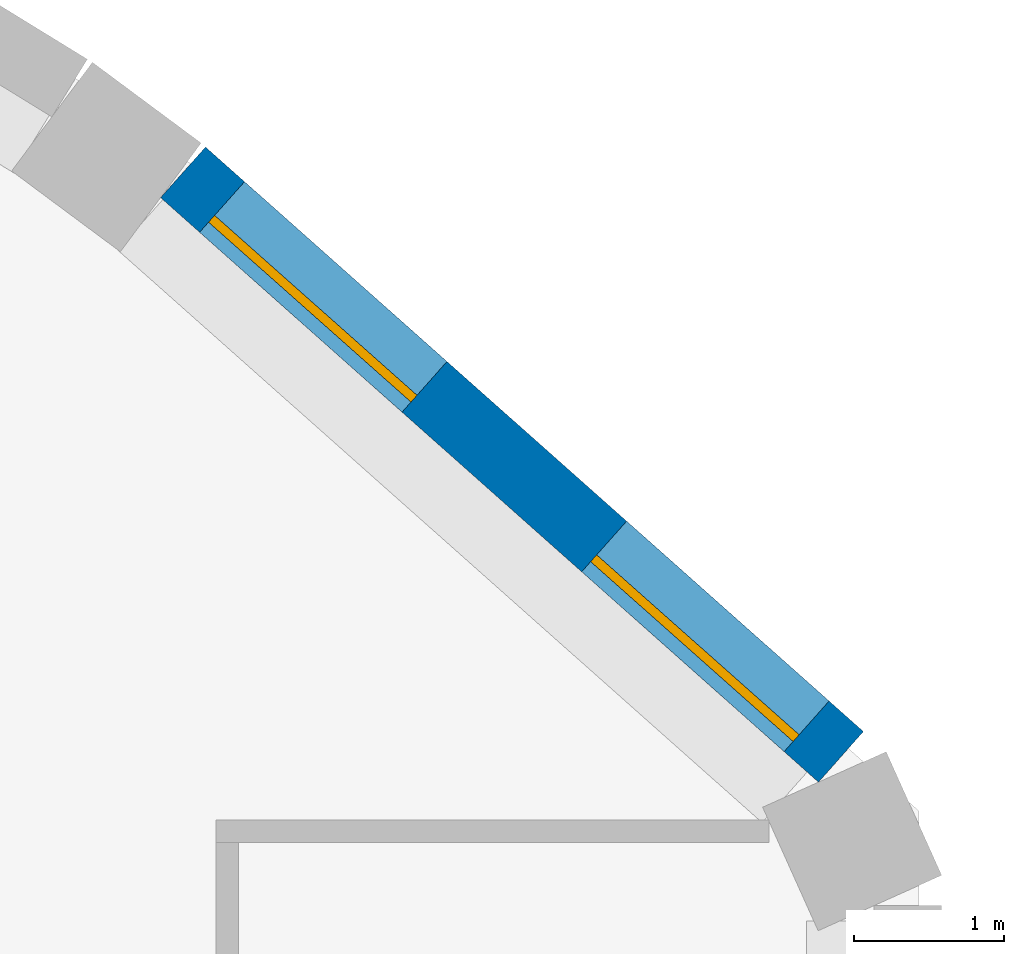
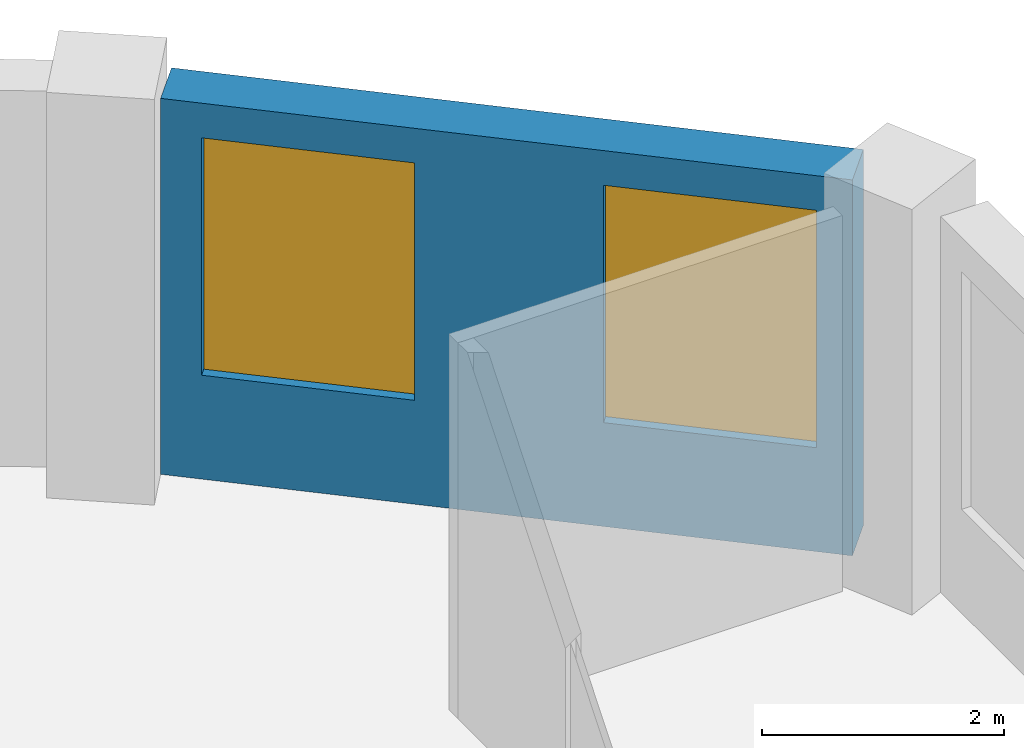
# One storey, part 8 of 15: 2 windows, 1 wall, 2 openings.
"""IFC4 building model written with IfcOpenShell, lengths in metres."""

import ifcopenshell
import ifcopenshell.guid

model = None  # the IFC model being written
_history = None  # IfcOwnerHistory: only IFC2X3 demands one
_inside = {}  # id of a spatial element -> (the spatial element, [elements in it])
_under = {}  # id of a project, library or spatial element -> (it, [spatial elements below it])
_declared = {}  # id of a project -> (the project, [libraries it declares])
_typed = {}  # id of a type object -> (the type object, [elements of that type])
_made_of = {}  # id of a material, layer set ... -> (it, [elements and type objects made of it])


def new_model(schema):
    """Start an empty IFC model of exactly this schema.

    Asked for "IFC4X3", IfcOpenShell would pick the latest addendum, in which some entities
    have other attributes; the version numbers below select the first issue.
    IFC2X3 requires an IfcOwnerHistory on every rooted entity: one is made here for all.
    """
    global model, _history
    if schema == "IFC4X3":
        model = ifcopenshell.file(schema_version=(4, 3, 0, 0))
    else:
        model = ifcopenshell.file(schema=schema)
    _inside.clear()
    _under.clear()
    _declared.clear()
    _typed.clear()
    _made_of.clear()
    _history = None
    if model.schema == "IFC2X3":
        org = make("IfcOrganization", Name="unknown")
        user = make(
            "IfcPersonAndOrganization",
            ThePerson=make("IfcPerson", FamilyName="unknown"),
            TheOrganization=org,
        )
        app = make(
            "IfcApplication",
            ApplicationDeveloper=org,
            Version="unknown",
            ApplicationFullName="unknown",
            ApplicationIdentifier="unknown",
        )
        _history = make(
            "IfcOwnerHistory",
            OwningUser=user,
            OwningApplication=app,
            ChangeAction="ADDED",
            CreationDate=0,
        )
    return model


def make(cls, **values):
    """One entity of the class cls with the attributes given. An attribute that is None is left unset."""
    return model.create_entity(
        cls, **{name: value for name, value in values.items() if value is not None}
    )


def rooted(cls, **values):
    """An entity with a GlobalId (a new one), such as an element, a storey or a relation."""
    return make(cls, GlobalId=ifcopenshell.guid.new(), OwnerHistory=_history, **values)


def si_unit(unit_type, name, prefix=None):
    """IfcSIUnit, for example si_unit("LENGTHUNIT", "METRE", prefix="MILLI")."""
    return make("IfcSIUnit", UnitType=unit_type, Prefix=prefix, Name=name)


def assignment(units):
    """IfcUnitAssignment: the units of a project."""
    return None if units is None else make("IfcUnitAssignment", Units=units)


def point(xyz):
    """IfcCartesianPoint."""
    return None if xyz is None else make("IfcCartesianPoint", Coordinates=xyz)


def direction(xyz):
    """IfcDirection."""
    return None if xyz is None else make("IfcDirection", DirectionRatios=xyz)


def frame(location, z_axis=None, x_axis=None):
    """IfcAxis2Placement3D, a coordinate frame: its origin and axes. An axis left out is left unset."""
    return make(
        "IfcAxis2Placement3D",
        Location=point(location),
        Axis=direction(z_axis),
        RefDirection=direction(x_axis),
    )


def frame_2d(location, x_axis=None):
    """IfcAxis2Placement2D, a coordinate frame in the plane: its origin and x axis."""
    return make(
        "IfcAxis2Placement2D", Location=point(location), RefDirection=direction(x_axis)
    )


def origin():
    """The frame at (0, 0, 0) with its axes left unset."""
    return frame((0.0, 0.0, 0.0))


def place(relative_to, where):
    """IfcLocalPlacement: puts the frame where relative to a parent placement (None: the world)."""
    return make(
        "IfcLocalPlacement", PlacementRelTo=relative_to, RelativePlacement=where
    )


def context(
    kind, dimensions, precision=None, world=None, true_north=None, identifier=None
):
    """IfcGeometricRepresentationContext, for example the 3D "Model" context."""
    return make(
        "IfcGeometricRepresentationContext",
        ContextIdentifier=identifier,
        ContextType=kind,
        CoordinateSpaceDimension=dimensions,
        Precision=precision,
        WorldCoordinateSystem=world,
        TrueNorth=true_north,
    )


def subcontext(parent, identifier, kind, view, scale=None):
    """IfcGeometricRepresentationSubContext, for example "Body" below "Model"."""
    return make(
        "IfcGeometricRepresentationSubContext",
        ContextIdentifier=identifier,
        ContextType=kind,
        ParentContext=parent,
        TargetScale=scale,
        TargetView=view,
    )


def project(units=None, contexts=None):
    """IfcProject with its units and contexts."""
    return rooted(
        "IfcProject",
        Name="project",
        RepresentationContexts=contexts,
        UnitsInContext=assignment(units),
    )


def spatial(cls, under=None, at=None, **own):
    """A site, building, storey or space (cls), placed at a placement, below another one or the project."""
    s = rooted(cls, ObjectPlacement=at, **own)
    if under is not None:
        _under.setdefault(under.id(), (under, []))[1].append(s)
    return s


def profile(cls, at=None, kind="AREA", **sizes):
    """A parametric profile (cls). Its sizes go by their IFC names, for example OverallWidth=200.0."""
    return make(cls, ProfileType=kind, Position=at, **sizes)


def rectangle(**sizes):
    """IfcRectangleProfileDef."""
    return profile("IfcRectangleProfileDef", **sizes)


def extrude(swept, where, along, depth):
    """IfcExtrudedAreaSolid: the profile swept, set in the frame where, extruded along a direction by depth."""
    return make(
        "IfcExtrudedAreaSolid",
        SweptArea=swept,
        Position=where,
        ExtrudedDirection=direction(along),
        Depth=depth,
    )


def shape(context_of_items, identifier, shape_type, items):
    """IfcShapeRepresentation: the items that make up one representation, for example the "Body"."""
    return make(
        "IfcShapeRepresentation",
        ContextOfItems=context_of_items,
        RepresentationIdentifier=identifier,
        RepresentationType=shape_type,
        Items=items,
    )


def material(Name=None, Category=None):
    """IfcMaterial."""
    return make("IfcMaterial", Name=Name, Category=Category)


def layer(
    of_material, thickness, ventilated=None, Name=None, Category=None, Priority=None
):
    """IfcMaterialLayer: one layer of a wall or slab, of a material (None: an air gap)."""
    return make(
        "IfcMaterialLayer",
        Material=of_material,
        LayerThickness=thickness,
        IsVentilated=ventilated,
        Name=Name,
        Category=Category,
        Priority=Priority,
    )


def layer_set(layers, Name=None):
    """IfcMaterialLayerSet."""
    return make("IfcMaterialLayerSet", MaterialLayers=layers, LayerSetName=Name)


def made_of(thing, what):
    """Note that an element or type object is made of a material, layer set ...; save() writes the relation."""
    if what is not None:
        _made_of.setdefault(what.id(), (what, []))[1].append(thing)
    return thing


def type_object(cls, material=None, **own):
    """A type object (cls), such as IfcWallType, which elements share."""
    return made_of(rooted(cls, **own), material)


def element(
    cls,
    number,
    at=None,
    inside=None,
    cuts=None,
    type_object=None,
    material=None,
    context=None,
    identifier="Body",
    shape_type=None,
    held_by="IfcProductDefinitionShape",
    body=None,
    shapes=None,
    **own,
):
    """One element of the class cls, such as IfcWall. Its Tag is "e" and its number.

    at: its placement. inside: the storey or other place that contains it. cuts: it is an
    opening in that element (IfcRelVoidsElement). A single representation is given by context,
    identifier, shape_type and body (its items); several are given by shapes. held_by: the class
    of the entity that holds the representations. save() writes the other relations.
    """
    e = rooted(cls, Tag="e%d" % number, ObjectPlacement=at, **own)
    if body is not None:
        shapes = [shape(context, identifier, shape_type, body)]
    if shapes is not None:
        e.Representation = make(held_by, Representations=shapes)
    if inside is not None:
        _inside.setdefault(inside.id(), (inside, []))[1].append(e)
    if cuts is not None:
        rooted(
            "IfcRelVoidsElement", RelatingBuildingElement=cuts, RelatedOpeningElement=e
        )
    if type_object is not None:
        _typed.setdefault(type_object.id(), (type_object, []))[1].append(e)
    return made_of(e, material)


def fill(opening, filler):
    """IfcRelFillsElement: the door or window that sits in an opening."""
    return rooted(
        "IfcRelFillsElement",
        RelatingOpeningElement=opening,
        RelatedBuildingElement=filler,
    )


def aggregate(whole, parts):
    """IfcRelAggregates: a whole, such as a stair, and the parts it consists of."""
    return rooted("IfcRelAggregates", RelatingObject=whole, RelatedObjects=parts)


def save(model, path):
    """Write the relations noted so far, then the file.

    IfcRelAggregates (storeys below a building ...), IfcRelContainedInSpatialStructure (elements
    in a storey), IfcRelDefinesByType, IfcRelAssociatesMaterial and IfcRelDeclares: one each for
    every whole, place, type object, material and project.
    """
    for whole, parts in _under.values():
        aggregate(whole, parts)
    for where, things in _inside.values():
        rooted(
            "IfcRelContainedInSpatialStructure",
            RelatedElements=things,
            RelatingStructure=where,
        )
    for kind, things in _typed.values():
        rooted("IfcRelDefinesByType", RelatedObjects=things, RelatingType=kind)
    for what, things in _made_of.values():
        rooted("IfcRelAssociatesMaterial", RelatedObjects=things, RelatingMaterial=what)
    for by, libraries in _declared.values():
        rooted("IfcRelDeclares", RelatingContext=by, RelatedDefinitions=libraries)
    model.write(path)


model = new_model("IFC4")

# Units and contexts
model_context = context("Model", 3, precision=1e-05, world=origin(), true_north=direction((0.0, 1.0)))
body_context = subcontext(model_context, "Body", "Model", "MODEL_VIEW")
ifc_project = project(units=[si_unit("LENGTHUNIT", "METRE"), si_unit("AREAUNIT", "SQUARE_METRE"), si_unit("VOLUMEUNIT", "CUBIC_METRE"), si_unit("PLANEANGLEUNIT", "RADIAN"), si_unit("MASSUNIT", "GRAM", prefix="KILO")], contexts=[model_context])

# Site, building, storey
site_placement = place(None, origin())
site = spatial("IfcSite", under=ifc_project, at=site_placement, CompositionType="ELEMENT")
building_placement = place(site_placement, origin())
building = spatial("IfcBuilding", under=site, at=building_placement, Name="Cypress Arch Tower", CompositionType="ELEMENT")
storey_placement = place(building_placement, frame((0.0, 0.0, 321.300048828125)))
storey = spatial("IfcBuildingStorey", under=building, at=storey_placement, Name="L73", CompositionType="ELEMENT", Elevation=321.300048828125)

# Wall, openings, windows
ifc_material_1 = material(Name="Brick (red buff blend)", Category="masonry")
ifc_layer = layer(ifc_material_1, 0.449951171875)
ifc_layer_set = layer_set([ifc_layer], Name="Brick pier and spandrel wall BW450")
wall_type = type_object("IfcWallType", Name="Brick pier and spandrel wall BW450", PredefinedType="SOLIDWALL", material=ifc_layer_set)
wall_placement = place(storey_placement, frame((24.08056640625, 14.361083984375, 0.0), z_axis=(0.0, 0.0, 1.0), x_axis=(-0.747570482973, 0.664182484704, 0.0)))
wall = element("IfcWall", 1, at=wall_placement, inside=storey, type_object=wall_type, Name="Brick wall L73 C18.0", PredefinedType="SOLIDWALL", context=body_context, shape_type="SweptSolid", body=[
    extrude(rectangle(XDim=5.849609375, YDim=0.449951171875, at=frame_2d((2.9248046875, 0.0))), origin(), (0.0, 0.0, 1.0), 3.800048828125),
])
opening_1_placement = place(wall_placement, frame((0.305419921875, 0.0, 1.050048828125)))
opening_1 = element("IfcOpeningElement", 2, at=opening_1_placement, cuts=wall, Name="Opening W180O", PredefinedType="OPENING", context=body_context, shape_type="SweptSolid", body=[
    extrude(rectangle(XDim=1.800048828125, YDim=2.39990234375, at=frame_2d((0.89990234375, 1.199951171875))), frame((0.0, 0.23486328125, 0.0), z_axis=(0.0, -1.0, 0.0), x_axis=(1.0, 0.0, 0.0)), (0.0, 0.0, 1.0), 0.469970703125),
])
opening_2_placement = place(wall_placement, frame((3.702880859375, 0.0, 1.050048828125)))
opening_2 = element("IfcOpeningElement", 3, at=opening_2_placement, cuts=wall, Name="Opening W180O", PredefinedType="OPENING", context=body_context, shape_type="SweptSolid", body=[
    extrude(rectangle(XDim=1.800048828125, YDim=2.39990234375, at=frame_2d((0.89990234375, 1.199951171875))), frame((0.0, 0.23486328125, 0.0), z_axis=(0.0, -1.0, 0.0), x_axis=(1.0, 0.0, 0.0)), (0.0, 0.0, 1.0), 0.469970703125),
])
ifc_material_2 = material(Name="Anodised aluminium, bronze finish, clear low-emissivity double glazing", Category="aluminium")
window_type = type_object("IfcWindowType", Name="Window Office 1800x2400", PartitioningType="SINGLE_PANEL", PredefinedType="WINDOW", material=ifc_material_2)
window_1_placement = place(opening_1_placement, origin())
window_1 = element("IfcWindow", 4, at=window_1_placement, inside=storey, type_object=window_type, Name="Window L73 C18.0.1", OverallHeight=2.39990234375, OverallWidth=1.800048828125, PartitioningType="SINGLE_PANEL", PredefinedType="WINDOW", context=body_context, shape_type="SweptSolid", body=[
    extrude(rectangle(XDim=1.800048828125, YDim=2.39990234375, at=frame_2d((0.89990234375, 1.199951171875))), frame((0.0, 0.135009765625, 0.0), z_axis=(0.0, -1.0, 0.0), x_axis=(1.0, 0.0, 0.0)), (0.0, 0.0, 1.0), 0.06005859375),
])
fill(opening_1, window_1)
window_2_placement = place(opening_2_placement, origin())
window_2 = element("IfcWindow", 5, at=window_2_placement, inside=storey, type_object=window_type, Name="Window L73 C18.0.2", OverallHeight=2.39990234375, OverallWidth=1.800048828125, PartitioningType="SINGLE_PANEL", PredefinedType="WINDOW", context=body_context, shape_type="SweptSolid", body=[
    extrude(rectangle(XDim=1.800048828125, YDim=2.39990234375, at=frame_2d((0.89990234375, 1.199951171875))), frame((0.0, 0.135009765625, 0.0), z_axis=(0.0, -1.0, 0.0), x_axis=(1.0, 0.0, 0.0)), (0.0, 0.0, 1.0), 0.06005859375),
])
fill(opening_2, window_2)

save(model, "model.ifc")
